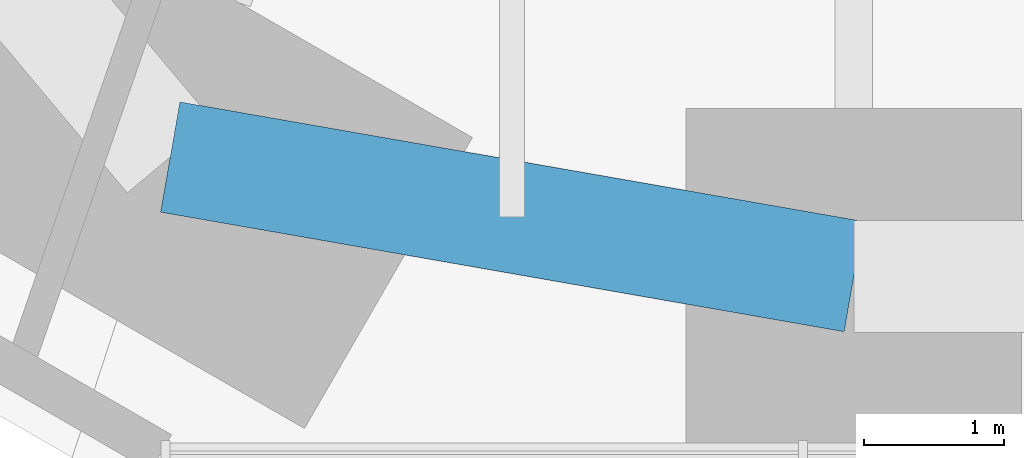
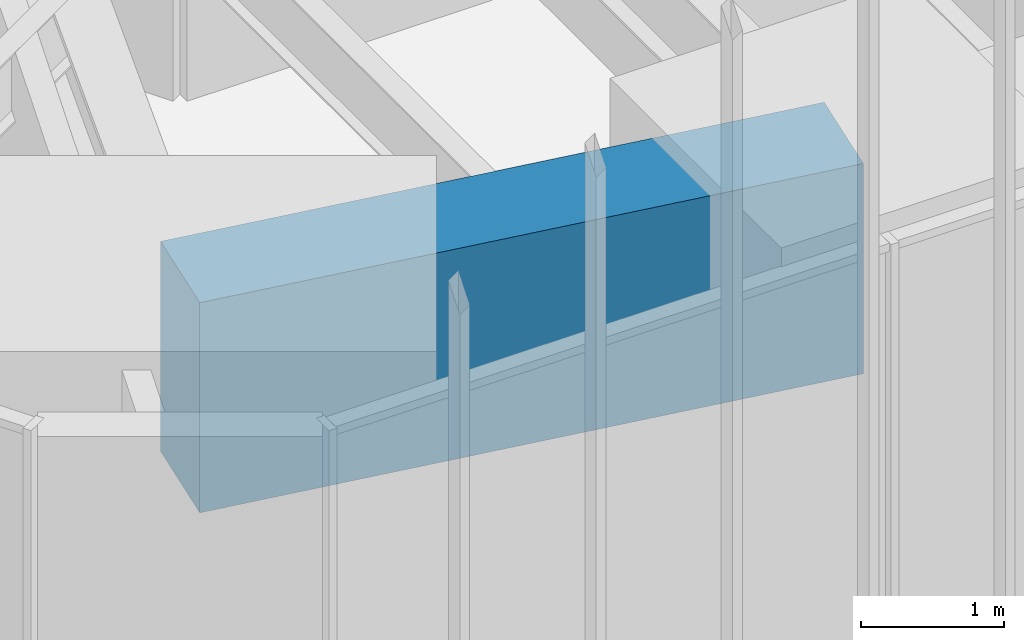
# One storey, part 23 of 256: 1 beam.
"""IFC4 building model written with IfcOpenShell, lengths in metres."""

import ifcopenshell
import ifcopenshell.guid

model = None  # the IFC model being written
_history = None  # IfcOwnerHistory: only IFC2X3 demands one
_inside = {}  # id of a spatial element -> (the spatial element, [elements in it])
_under = {}  # id of a project, library or spatial element -> (it, [spatial elements below it])
_declared = {}  # id of a project -> (the project, [libraries it declares])
_typed = {}  # id of a type object -> (the type object, [elements of that type])
_made_of = {}  # id of a material, layer set ... -> (it, [elements and type objects made of it])


def new_model(schema):
    """Start an empty IFC model of exactly this schema.

    Asked for "IFC4X3", IfcOpenShell would pick the latest addendum, in which some entities
    have other attributes; the version numbers below select the first issue.
    IFC2X3 requires an IfcOwnerHistory on every rooted entity: one is made here for all.
    """
    global model, _history
    if schema == "IFC4X3":
        model = ifcopenshell.file(schema_version=(4, 3, 0, 0))
    else:
        model = ifcopenshell.file(schema=schema)
    _inside.clear()
    _under.clear()
    _declared.clear()
    _typed.clear()
    _made_of.clear()
    _history = None
    if model.schema == "IFC2X3":
        org = make("IfcOrganization", Name="unknown")
        user = make(
            "IfcPersonAndOrganization",
            ThePerson=make("IfcPerson", FamilyName="unknown"),
            TheOrganization=org,
        )
        app = make(
            "IfcApplication",
            ApplicationDeveloper=org,
            Version="unknown",
            ApplicationFullName="unknown",
            ApplicationIdentifier="unknown",
        )
        _history = make(
            "IfcOwnerHistory",
            OwningUser=user,
            OwningApplication=app,
            ChangeAction="ADDED",
            CreationDate=0,
        )
    return model


def make(cls, **values):
    """One entity of the class cls with the attributes given. An attribute that is None is left unset."""
    return model.create_entity(
        cls, **{name: value for name, value in values.items() if value is not None}
    )


def rooted(cls, **values):
    """An entity with a GlobalId (a new one), such as an element, a storey or a relation."""
    return make(cls, GlobalId=ifcopenshell.guid.new(), OwnerHistory=_history, **values)


def si_unit(unit_type, name, prefix=None):
    """IfcSIUnit, for example si_unit("LENGTHUNIT", "METRE", prefix="MILLI")."""
    return make("IfcSIUnit", UnitType=unit_type, Prefix=prefix, Name=name)


def assignment(units):
    """IfcUnitAssignment: the units of a project."""
    return None if units is None else make("IfcUnitAssignment", Units=units)


def point(xyz):
    """IfcCartesianPoint."""
    return None if xyz is None else make("IfcCartesianPoint", Coordinates=xyz)


def direction(xyz):
    """IfcDirection."""
    return None if xyz is None else make("IfcDirection", DirectionRatios=xyz)


def frame(location, z_axis=None, x_axis=None):
    """IfcAxis2Placement3D, a coordinate frame: its origin and axes. An axis left out is left unset."""
    return make(
        "IfcAxis2Placement3D",
        Location=point(location),
        Axis=direction(z_axis),
        RefDirection=direction(x_axis),
    )


def frame_2d(location, x_axis=None):
    """IfcAxis2Placement2D, a coordinate frame in the plane: its origin and x axis."""
    return make(
        "IfcAxis2Placement2D", Location=point(location), RefDirection=direction(x_axis)
    )


def origin():
    """The frame at (0, 0, 0) with its axes left unset."""
    return frame((0.0, 0.0, 0.0))


def origin_2d():
    """The frame at (0, 0) in the plane with its x axis left unset."""
    return frame_2d((0.0, 0.0))


def place(relative_to, where):
    """IfcLocalPlacement: puts the frame where relative to a parent placement (None: the world)."""
    return make(
        "IfcLocalPlacement", PlacementRelTo=relative_to, RelativePlacement=where
    )


def context(
    kind, dimensions, precision=None, world=None, true_north=None, identifier=None
):
    """IfcGeometricRepresentationContext, for example the 3D "Model" context."""
    return make(
        "IfcGeometricRepresentationContext",
        ContextIdentifier=identifier,
        ContextType=kind,
        CoordinateSpaceDimension=dimensions,
        Precision=precision,
        WorldCoordinateSystem=world,
        TrueNorth=true_north,
    )


def subcontext(parent, identifier, kind, view, scale=None):
    """IfcGeometricRepresentationSubContext, for example "Body" below "Model"."""
    return make(
        "IfcGeometricRepresentationSubContext",
        ContextIdentifier=identifier,
        ContextType=kind,
        ParentContext=parent,
        TargetScale=scale,
        TargetView=view,
    )


def project(units=None, contexts=None):
    """IfcProject with its units and contexts."""
    return rooted(
        "IfcProject",
        Name="project",
        RepresentationContexts=contexts,
        UnitsInContext=assignment(units),
    )


def spatial(cls, under=None, at=None, **own):
    """A site, building, storey or space (cls), placed at a placement, below another one or the project."""
    s = rooted(cls, ObjectPlacement=at, **own)
    if under is not None:
        _under.setdefault(under.id(), (under, []))[1].append(s)
    return s


def profile(cls, at=None, kind="AREA", **sizes):
    """A parametric profile (cls). Its sizes go by their IFC names, for example OverallWidth=200.0."""
    return make(cls, ProfileType=kind, Position=at, **sizes)


def rectangle(**sizes):
    """IfcRectangleProfileDef."""
    return profile("IfcRectangleProfileDef", **sizes)


def extrude(swept, where, along, depth):
    """IfcExtrudedAreaSolid: the profile swept, set in the frame where, extruded along a direction by depth."""
    return make(
        "IfcExtrudedAreaSolid",
        SweptArea=swept,
        Position=where,
        ExtrudedDirection=direction(along),
        Depth=depth,
    )


def shape(context_of_items, identifier, shape_type, items):
    """IfcShapeRepresentation: the items that make up one representation, for example the "Body"."""
    return make(
        "IfcShapeRepresentation",
        ContextOfItems=context_of_items,
        RepresentationIdentifier=identifier,
        RepresentationType=shape_type,
        Items=items,
    )


def material(Name=None, Category=None):
    """IfcMaterial."""
    return make("IfcMaterial", Name=Name, Category=Category)


def material_profile(
    of_material, cross_section, Name=None, Category=None, Priority=None
):
    """IfcMaterialProfile: a cross section and its material."""
    return make(
        "IfcMaterialProfile",
        Name=Name,
        Material=of_material,
        Profile=cross_section,
        Priority=Priority,
        Category=Category,
    )


def profile_set(profiles, Name=None, composite=None):
    """IfcMaterialProfileSet."""
    return make(
        "IfcMaterialProfileSet",
        Name=Name,
        MaterialProfiles=profiles,
        CompositeProfile=composite,
    )


def made_of(thing, what):
    """Note that an element or type object is made of a material, layer set ...; save() writes the relation."""
    if what is not None:
        _made_of.setdefault(what.id(), (what, []))[1].append(thing)
    return thing


def type_object(cls, material=None, **own):
    """A type object (cls), such as IfcWallType, which elements share."""
    return made_of(rooted(cls, **own), material)


def element(
    cls,
    number,
    at=None,
    inside=None,
    cuts=None,
    type_object=None,
    material=None,
    context=None,
    identifier="Body",
    shape_type=None,
    held_by="IfcProductDefinitionShape",
    body=None,
    shapes=None,
    **own,
):
    """One element of the class cls, such as IfcWall. Its Tag is "e" and its number.

    at: its placement. inside: the storey or other place that contains it. cuts: it is an
    opening in that element (IfcRelVoidsElement). A single representation is given by context,
    identifier, shape_type and body (its items); several are given by shapes. held_by: the class
    of the entity that holds the representations. save() writes the other relations.
    """
    e = rooted(cls, Tag="e%d" % number, ObjectPlacement=at, **own)
    if body is not None:
        shapes = [shape(context, identifier, shape_type, body)]
    if shapes is not None:
        e.Representation = make(held_by, Representations=shapes)
    if inside is not None:
        _inside.setdefault(inside.id(), (inside, []))[1].append(e)
    if cuts is not None:
        rooted(
            "IfcRelVoidsElement", RelatingBuildingElement=cuts, RelatedOpeningElement=e
        )
    if type_object is not None:
        _typed.setdefault(type_object.id(), (type_object, []))[1].append(e)
    return made_of(e, material)


def aggregate(whole, parts):
    """IfcRelAggregates: a whole, such as a stair, and the parts it consists of."""
    return rooted("IfcRelAggregates", RelatingObject=whole, RelatedObjects=parts)


def save(model, path):
    """Write the relations noted so far, then the file.

    IfcRelAggregates (storeys below a building ...), IfcRelContainedInSpatialStructure (elements
    in a storey), IfcRelDefinesByType, IfcRelAssociatesMaterial and IfcRelDeclares: one each for
    every whole, place, type object, material and project.
    """
    for whole, parts in _under.values():
        aggregate(whole, parts)
    for where, things in _inside.values():
        rooted(
            "IfcRelContainedInSpatialStructure",
            RelatedElements=things,
            RelatingStructure=where,
        )
    for kind, things in _typed.values():
        rooted("IfcRelDefinesByType", RelatedObjects=things, RelatingType=kind)
    for what, things in _made_of.values():
        rooted("IfcRelAssociatesMaterial", RelatedObjects=things, RelatingMaterial=what)
    for by, libraries in _declared.values():
        rooted("IfcRelDeclares", RelatingContext=by, RelatedDefinitions=libraries)
    model.write(path)


model = new_model("IFC4")

# Units and contexts
model_context = context("Model", 3, precision=1e-05, world=origin(), true_north=direction((0.0, 1.0)))
body_context = subcontext(model_context, "Body", "Model", "MODEL_VIEW")
ifc_project = project(units=[si_unit("LENGTHUNIT", "METRE"), si_unit("AREAUNIT", "SQUARE_METRE"), si_unit("VOLUMEUNIT", "CUBIC_METRE"), si_unit("PLANEANGLEUNIT", "RADIAN"), si_unit("MASSUNIT", "GRAM", prefix="KILO")], contexts=[model_context])

# Site, building, storey
site_placement = place(None, origin())
site = spatial("IfcSite", under=ifc_project, at=site_placement, CompositionType="ELEMENT")
building_placement = place(site_placement, origin())
building = spatial("IfcBuilding", under=site, at=building_placement, Name="Sandreach Pilgrim Tower", CompositionType="ELEMENT")
storey_placement = place(building_placement, frame((0.0, 0.0, 23.0)))
storey = spatial("IfcBuildingStorey", under=building, at=storey_placement, Name="L04", CompositionType="ELEMENT", Elevation=23.0)

# Beam
ifc_material = material(Name="Concrete 10000 psi", Category="concrete")
ifc_material_profile = material_profile(ifc_material, rectangle(XDim=0.800048828125, YDim=1.800048828125, at=origin_2d()), Name="RC800X1800")
ifc_profile_set = profile_set([ifc_material_profile], Name="Concrete 10000 psi")
beam_type = type_object("IfcBeamType", Name="Spandrel beam RC800X1800", PredefinedType="SPANDREL", material=ifc_profile_set)
beam_placement = place(storey_placement, frame((-4.222412109375, -28.7509765625, 2.739990234375), z_axis=(-0.985054495501, 0.17224297052, 0.0), x_axis=(-0.17224297052, -0.985054495501, 0.0)))
element("IfcBeam", 1, at=beam_placement, inside=storey, type_object=beam_type, Name="BM L04 SP25", PredefinedType="SPANDREL", context=body_context, shape_type="SweptSolid", body=[
    extrude(rectangle(XDim=0.800048828125, YDim=1.800048828125, at=origin_2d()), origin(), (0.0, 0.0, 1.0), 4.958251953125),
])

save(model, "model.ifc")
